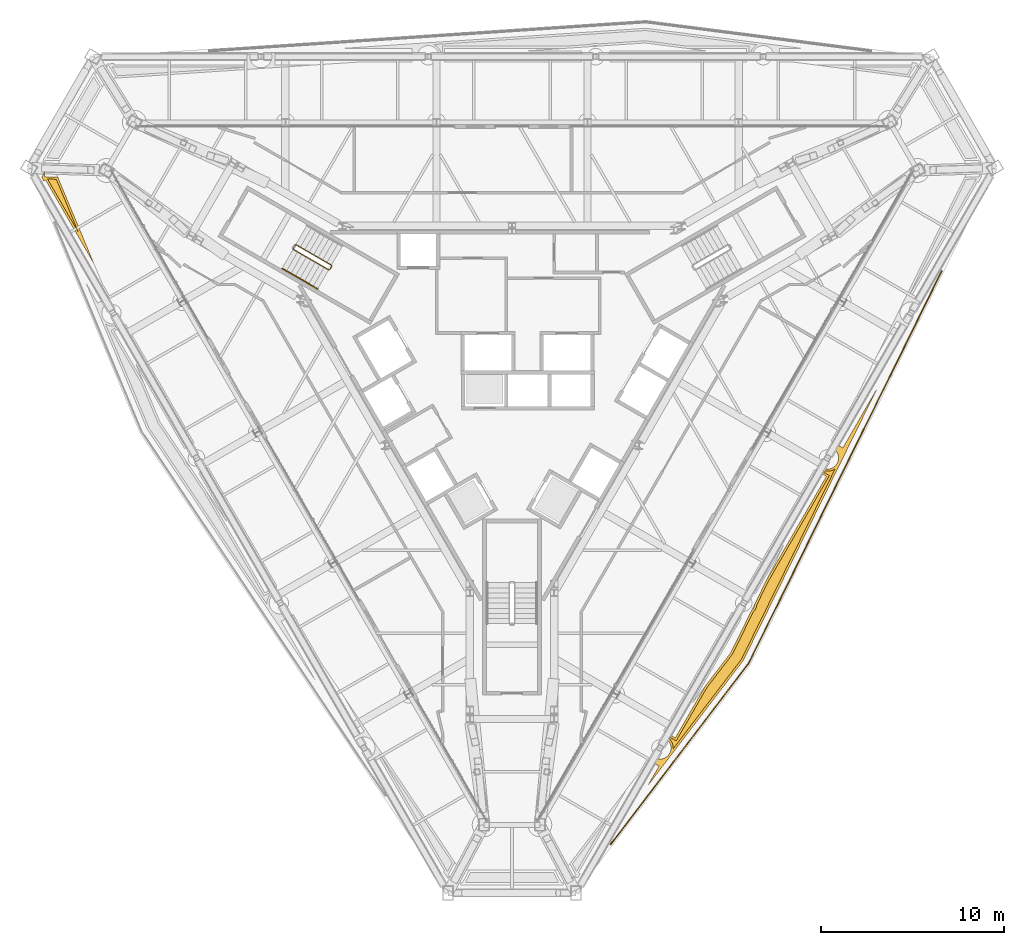
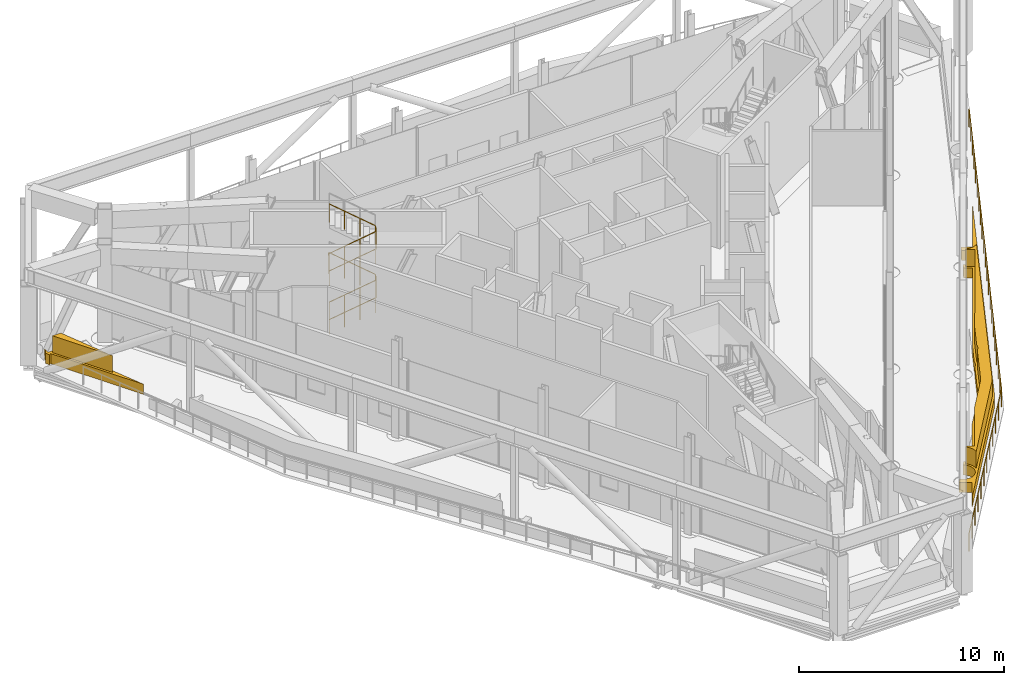
# One storey, part 21 of 25: 4 coverings, 4 railings.
"""IFC4 building model written with IfcOpenShell, lengths in metres."""

from ifc_helpers import new_model, si_unit, direction, frame, origin, origin_2d, place, context, subcontext, project, spatial, polyline, circle, outline, extrude, material, type_object, element, save


model = new_model("IFC4")

# Units and contexts
model_context = context("Model", 3, precision=1e-05, world=origin(), true_north=direction((0.0, 1.0)))
body_context = subcontext(model_context, "Body", "Model", "MODEL_VIEW")
ifc_project = project(units=[si_unit("LENGTHUNIT", "METRE"), si_unit("AREAUNIT", "SQUARE_METRE"), si_unit("VOLUMEUNIT", "CUBIC_METRE"), si_unit("PLANEANGLEUNIT", "RADIAN"), si_unit("MASSUNIT", "GRAM", prefix="KILO")], contexts=[model_context])

# Site, building, storey
site_placement = place(None, origin())
site = spatial("IfcSite", under=ifc_project, at=site_placement, CompositionType="ELEMENT")
building_placement = place(site_placement, origin())
building = spatial("IfcBuilding", under=site, at=building_placement, Name="Verrane Prism Tower", CompositionType="ELEMENT")
storey_placement = place(building_placement, frame((0.0, 0.0, 258.199951171875)))
storey = spatial("IfcBuildingStorey", under=building, at=storey_placement, Name="L65", CompositionType="ELEMENT", Elevation=258.199951171875)

# Coverings
ifc_material_1 = material(Name="Planting medium in stone kerb", Category="masonry")
covering_type_1 = type_object("IfcCoveringType", Name="Planter bed 600", PredefinedType="USERDEFINED", material=ifc_material_1)
covering_1_placement = place(storey_placement, origin())
element("IfcCovering", 1, at=covering_1_placement, inside=storey, type_object=covering_type_1, Name="Planter bed L65 4", ObjectType="PLANTER", PredefinedType="USERDEFINED", context=body_context, shape_type="SweptSolid", body=[
    extrude(outline(polyline([(7.459228515625, -21.145751953125), (8.018310546875, -21.46875), (7.419677734375, -22.50537109375), (7.42529296875, -22.50927734375), (12.615234375, -15.705810546875), (19.874755859375, -0.95556640625), (19.8671875, -0.951416015625), (18.048095703125, -4.107421875), (17.568115234375, -3.830810546875), (17.434814453125, -4.101318359375), (17.4404296875, -4.103515625), (17.493896484375, -4.128662109375), (17.544677734375, -4.1591796875), (17.59228515625, -4.1943359375), (17.635986328125, -4.23388671875), (17.67578125, -4.27783203125), (17.7109375, -4.3251953125), (17.7412109375, -4.3759765625), (17.7666015625, -4.429443359375), (17.78662109375, -4.485107421875), (17.80078125, -4.54248046875), (17.8095703125, -4.60107421875), (17.8125, -4.659912109375), (17.8095703125, -4.718994140625), (17.80078125, -4.777587890625), (17.78662109375, -4.8349609375), (17.7666015625, -4.890380859375), (17.7412109375, -4.944091796875), (17.7109375, -4.99462890625), (17.67578125, -5.042236328125), (17.635986328125, -5.0859375), (17.59228515625, -5.125732421875), (17.544677734375, -5.160888671875), (17.493896484375, -5.19140625), (17.4404296875, -5.216552734375), (17.385009765625, -5.236572265625), (17.327392578125, -5.250732421875), (17.26904296875, -5.259521484375), (17.2099609375, -5.262451171875), (17.15087890625, -5.259521484375), (17.092529296875, -5.250732421875), (17.03515625, -5.236572265625), (16.9794921875, -5.216552734375), (16.926025390625, -5.19140625), (16.90478515625, -5.178466796875), (16.773681640625, -5.4443359375), (17.150634765625, -5.662109375), (13.88330078125, -11.3173828125), (13.23974609375, -12.62548828125), (13.230712890625, -12.6875), (13.216552734375, -12.744873046875), (13.196533203125, -12.800537109375), (13.17138671875, -12.85400390625), (13.140869140625, -12.90478515625), (13.105712890625, -12.9521484375), (13.06591796875, -12.99609375), (13.05029296875, -13.010009765625), (11.931884765625, -15.282470703125), (10.532958984375, -17.116455078125), (8.908447265625, -19.927978515625), (8.54736328125, -19.71923828125), (8.366455078125, -19.956298828125), (8.40478515625, -19.97900390625), (8.4521484375, -20.014404296875), (8.49609375, -20.053955078125), (8.53564453125, -20.097900390625), (8.57080078125, -20.145263671875), (8.601318359375, -20.196044921875), (8.62646484375, -20.24951171875), (8.646484375, -20.30517578125), (8.660888671875, -20.362548828125), (8.66943359375, -20.4208984375), (8.67236328125, -20.47998046875), (8.66943359375, -20.5390625), (8.660888671875, -20.597412109375), (8.646484375, -20.65478515625), (8.62646484375, -20.71044921875), (8.601318359375, -20.763916015625), (8.57080078125, -20.814697265625), (8.53564453125, -20.8623046875), (8.49609375, -20.906005859375), (8.4521484375, -20.94580078125), (8.40478515625, -20.98095703125), (8.35400390625, -21.01123046875), (8.300537109375, -21.03662109375), (8.244873046875, -21.056396484375), (8.1875, -21.07080078125), (8.12890625, -21.07958984375), (8.070068359375, -21.08251953125), (8.010986328125, -21.07958984375), (7.952392578125, -21.07080078125), (7.89501953125, -21.056396484375), (7.839599609375, -21.03662109375), (7.785888671875, -21.01123046875), (7.7353515625, -20.98095703125), (7.687744140625, -20.94580078125), (7.642822265625, -20.90478515625), (7.459228515625, -21.145751953125)])), origin(), (0.0, 0.0, 1.0), 0.60009765625),
])
covering_2_placement = place(storey_placement, origin())
element("IfcCovering", 2, at=covering_2_placement, inside=storey, type_object=covering_type_1, Name="Planter bed L65 12", ObjectType="PLANTER", PredefinedType="USERDEFINED", context=body_context, shape_type="SweptSolid", body=[
    extrude(outline(polyline([(-25.554443359375, 10.44873046875), (-25.44580078125, 10.51171875), (-22.83349609375, 5.990234375), (-22.827392578125, 5.993408203125), (-24.77490234375, 10.65771484375), (-25.50634765625, 10.68212890625), (-25.4951171875, 11.0205078125), (-25.502197265625, 11.02099609375), (-25.50634765625, 10.994140625), (-25.526611328125, 10.913330078125), (-25.5546875, 10.834716796875), (-25.59033203125, 10.75927734375), (-25.63330078125, 10.687744140625), (-25.646728515625, 10.669677734375), (-25.554443359375, 10.44873046875)])), origin(), (0.0, 0.0, 1.0), 0.60009765625),
])
ifc_material_2 = material(Name="Planted shrubs and grasses", Category="other")
covering_type_2 = type_object("IfcCoveringType", Name="Planting mass 1000", PredefinedType="USERDEFINED", material=ifc_material_2)
covering_3_placement = place(storey_placement, frame((0.0, 0.0, 0.60009765625)))
element("IfcCovering", 3, at=covering_3_placement, inside=storey, type_object=covering_type_2, Name="Planting L65 4", ObjectType="PLANTING", PredefinedType="USERDEFINED", context=body_context, shape_type="SweptSolid", body=[
    extrude(outline(polyline([(12.5126953125, -15.642333984375), (17.628173828125, -5.248291015625), (17.611328125, -5.2607421875), (17.550537109375, -5.297119140625), (17.486572265625, -5.327392578125), (17.419677734375, -5.351318359375), (17.35107421875, -5.36865234375), (17.28076171875, -5.379150390625), (17.2099609375, -5.382568359375), (17.13916015625, -5.379150390625), (17.069091796875, -5.36865234375), (17.000244140625, -5.351318359375), (16.96044921875, -5.337158203125), (16.930908203125, -5.396728515625), (17.314697265625, -5.618408203125), (13.9892578125, -11.3740234375), (13.355712890625, -12.6611328125), (13.3486328125, -12.710693359375), (13.331298828125, -12.77978515625), (13.3076171875, -12.846435546875), (13.277099609375, -12.91064453125), (13.24072265625, -12.971435546875), (13.198486328125, -13.0283203125), (13.15087890625, -13.080810546875), (13.14794921875, -13.083740234375), (12.034423828125, -15.345947265625), (10.633056640625, -17.18310546875), (8.952392578125, -20.092041015625), (8.57861328125, -19.8759765625), (8.53759765625, -19.929931640625), (8.580810546875, -19.968994140625), (8.62841796875, -20.021484375), (8.6708984375, -20.07861328125), (8.707275390625, -20.139404296875), (8.737548828125, -20.20361328125), (8.761474609375, -20.270263671875), (8.77880859375, -20.339111328125), (8.7890625, -20.4091796875), (8.79248046875, -20.47998046875), (8.79052734375, -20.521728515625), (12.5126953125, -15.642333984375)])), origin(), (0.0, 0.0, 1.0), 1.0),
])
covering_4_placement = place(storey_placement, frame((0.0, 0.0, 0.60009765625)))
element("IfcCovering", 4, at=covering_4_placement, inside=storey, type_object=covering_type_2, Name="Planting L65 12", ObjectType="PLANTING", PredefinedType="USERDEFINED", context=body_context, shape_type="SweptSolid", body=[
    extrude(outline(polyline([(-23.636962890625, 7.620849609375), (-24.85595703125, 10.54052734375), (-25.3330078125, 10.556396484375), (-23.636962890625, 7.620849609375)])), origin(), (0.0, 0.0, 1.0), 1.0),
])

# Railings
ifc_material_3 = material(Name="Steel A36 rail and posts, no infill", Category="steel")
railing_type_1 = type_object("IfcRailingType", Name="Stair guard 1100 steel rail and posts", PredefinedType="GUARDRAIL", material=ifc_material_3)
railing_1_placement = place(storey_placement, frame((-11.939453125, 6.72021484375, 0.1611328125)))
element("IfcRailing", 5, at=railing_1_placement, inside=storey, type_object=railing_type_1, Name="Stair 2 guard", PredefinedType="GUARDRAIL", context=body_context, shape_type="SweptSolid", body=[
    extrude(circle(Radius=0.02392578125, at=origin_2d()), frame((0.0, 0.0, 1.076171875), z_axis=(0.750595867838, -0.433446676103, 0.498728204697), x_axis=(0.500077830873, 0.865980463445, 0.0)), (0.0, 0.0, 1.0), 2.584228515625),
    extrude(circle(Radius=0.02392578125, at=origin_2d()), frame((1.939697265625, -1.1201171875, 2.36474609375), z_axis=(0.965948051503, 0.258736085224, 0.0), x_axis=(-0.258736085224, 0.965948051503, 0.0)), (0.0, 0.0, 1.0), 0.07080078125),
    extrude(circle(Radius=0.02392578125, at=origin_2d()), frame((2.008056640625, -1.101806640625, 2.36474609375), z_axis=(0.500603037456, 0.865676959893, 0.0), x_axis=(-0.865676959893, 0.500603037456, 0.0)), (0.0, 0.0, 1.0), 0.199951171875),
    extrude(circle(Radius=0.02392578125, at=origin_2d()), frame((2.108154296875, -0.9287109375, 2.36474609375), z_axis=(-0.104043809355, 0.388430221592, 0.915585522324), x_axis=(-0.965948051503, -0.258736085224, 0.0)), (0.0, 0.0, 1.0), 0.176025390625),
    extrude(circle(Radius=0.02392578125, at=origin_2d()), frame((2.08984375, -0.8603515625, 2.52587890625), z_axis=(-0.750601747861, 0.433395522173, 0.498763809301), x_axis=(-0.500030632641, -0.866007717299, 0.0)), (0.0, 0.0, 1.0), 2.58447265625),
    extrude(circle(Radius=0.02392578125, at=origin_2d()), frame((0.14990234375, 0.259765625, 3.81494140625), z_axis=(-0.659656118156, -0.751567565678, 0.0), x_axis=(0.751567565678, -0.659656118156, 0.0)), (0.0, 0.0, 1.0), 0.2548828125),
    extrude(circle(Radius=0.02392578125, at=origin_2d()), frame((-0.018310546875, 0.068115234375, 3.81494140625), z_axis=(0.499158860599, 0.866510491504, 0.0), x_axis=(-0.866510491504, 0.499158860599, 0.0)), (0.0, 0.0, 1.0), 0.199951171875),
    extrude(circle(Radius=0.02392578125, at=origin_2d()), frame((0.08154296875, 0.241455078125, 3.81494140625), z_axis=(-0.270440734056, -0.800796065813, 0.53440384574), x_axis=(0.947430582667, -0.3199613899, 0.0)), (0.0, 0.0, 1.0), 0.301513671875),
    extrude(circle(Radius=0.02392578125, at=origin_2d()), frame((0.0, 0.0, 3.97607421875), z_axis=(0.750595867838, -0.433446676103, 0.498728204697), x_axis=(0.500077830873, 0.865980463445, 0.0)), (0.0, 0.0, 1.0), 2.584228515625),
    extrude(circle(Radius=0.02392578125, at=origin_2d()), frame((1.939697265625, -1.1201171875, 5.26513671875), z_axis=(0.965948051503, 0.258736085224, 0.0), x_axis=(-0.258736085224, 0.965948051503, 0.0)), (0.0, 0.0, 1.0), 0.07080078125),
    extrude(circle(Radius=0.02392578125, at=origin_2d()), frame((2.008056640625, -1.101806640625, 5.26513671875), z_axis=(0.500603037456, 0.865676959893, 0.0), x_axis=(-0.865676959893, 0.500603037456, 0.0)), (0.0, 0.0, 1.0), 0.199951171875),
    extrude(circle(Radius=0.02392578125, at=origin_2d()), frame((2.108154296875, -0.9287109375, 5.26513671875), z_axis=(-0.104043809355, 0.388430221592, 0.915585522324), x_axis=(-0.965948051503, -0.258736085224, 0.0)), (0.0, 0.0, 1.0), 0.176025390625),
    extrude(circle(Radius=0.02392578125, at=origin_2d()), frame((2.08984375, -0.8603515625, 5.42626953125), z_axis=(-0.750637111348, 0.433415940959, 0.498692840524), x_axis=(-0.500030632641, -0.866007717299, 0.0)), (0.0, 0.0, 1.0), 2.58447265625),
    extrude(circle(Radius=0.02099609375, at=origin_2d()), origin(), (0.0, 0.0, 1.0), 1.052001953125),
    extrude(circle(Radius=0.02099609375, at=origin_2d()), frame((0.646484375, -0.373291015625, 0.4296875)), (0.0, 0.0, 1.0), 1.052001953125),
    extrude(circle(Radius=0.02099609375, at=origin_2d()), frame((1.293212890625, -0.746826171875, 0.859130859375)), (0.0, 0.0, 1.0), 1.052001953125),
    extrude(circle(Radius=0.02099609375, at=origin_2d()), frame((1.939697265625, -1.1201171875, 1.288818359375)), (0.0, 0.0, 1.0), 1.052001953125),
    extrude(circle(Radius=0.02099609375, at=origin_2d()), frame((2.008056640625, -1.101806640625, 1.288818359375)), (0.0, 0.0, 1.0), 1.052001953125),
    extrude(circle(Radius=0.02099609375, at=origin_2d()), frame((2.108154296875, -0.9287109375, 1.288818359375)), (0.0, 0.0, 1.0), 1.052001953125),
    extrude(circle(Radius=0.02099609375, at=origin_2d()), frame((2.08984375, -0.8603515625, 1.449951171875)), (0.0, 0.0, 1.0), 1.052001953125),
    extrude(circle(Radius=0.02099609375, at=origin_2d()), frame((1.443115234375, -0.487060546875, 1.879638671875)), (0.0, 0.0, 1.0), 1.052001953125),
    extrude(circle(Radius=0.02099609375, at=origin_2d()), frame((0.796630859375, -0.113525390625, 2.309326171875)), (0.0, 0.0, 1.0), 1.052001953125),
    extrude(circle(Radius=0.02099609375, at=origin_2d()), frame((0.14990234375, 0.259765625, 2.739013671875)), (0.0, 0.0, 1.0), 1.052001953125),
    extrude(circle(Radius=0.02099609375, at=origin_2d()), frame((-0.018310546875, 0.068115234375, 2.739013671875)), (0.0, 0.0, 1.0), 1.052001953125),
    extrude(circle(Radius=0.02099609375, at=origin_2d()), frame((0.08154296875, 0.241455078125, 2.739013671875)), (0.0, 0.0, 1.0), 1.052001953125),
    extrude(circle(Radius=0.02099609375, at=origin_2d()), frame((0.0, 0.0, 2.900146484375)), (0.0, 0.0, 1.0), 1.052001953125),
    extrude(circle(Radius=0.02099609375, at=origin_2d()), frame((0.646484375, -0.373291015625, 3.329833984375)), (0.0, 0.0, 1.0), 1.052001953125),
    extrude(circle(Radius=0.02099609375, at=origin_2d()), frame((1.293212890625, -0.746826171875, 3.75927734375)), (0.0, 0.0, 1.0), 1.052001953125),
    extrude(circle(Radius=0.02099609375, at=origin_2d()), frame((1.939697265625, -1.1201171875, 4.18896484375)), (0.0, 0.0, 1.0), 1.052001953125),
    extrude(circle(Radius=0.02099609375, at=origin_2d()), frame((2.008056640625, -1.101806640625, 4.18896484375)), (0.0, 0.0, 1.0), 1.052001953125),
    extrude(circle(Radius=0.02099609375, at=origin_2d()), frame((2.108154296875, -0.9287109375, 4.18896484375)), (0.0, 0.0, 1.0), 1.052001953125),
    extrude(circle(Radius=0.02099609375, at=origin_2d()), frame((2.08984375, -0.8603515625, 4.35009765625)), (0.0, 0.0, 1.0), 1.052001953125),
    extrude(circle(Radius=0.02099609375, at=origin_2d()), frame((1.443115234375, -0.487060546875, 4.77978515625)), (0.0, 0.0, 1.0), 1.052001953125),
    extrude(circle(Radius=0.02099609375, at=origin_2d()), frame((0.796630859375, -0.113525390625, 5.209228515625)), (0.0, 0.0, 1.0), 1.052001953125),
    extrude(circle(Radius=0.02099609375, at=origin_2d()), frame((0.14990234375, 0.259765625, 5.638916015625)), (0.0, 0.0, 1.0), 1.052001953125),
])
ifc_material_4 = material(Name="Steel A36 tube", Category="steel")
railing_type_2 = type_object("IfcRailingType", Name="Stair handrail 900 steel tube", PredefinedType="HANDRAIL", material=ifc_material_4)
for number, where, name in (
    (6, (-12.53955078125, 5.680908203125, 0.1611328125), "Stair 2 handrail"),
    (7, (-12.53955078125, 5.680908203125, 3.061279296875), "Stair 2 handrail"),
):
    element("IfcRailing", number, at=place(storey_placement, frame(where)), inside=storey, type_object=railing_type_2, Name=name, PredefinedType="HANDRAIL", context=body_context, shape_type="SweptSolid", body=[
        extrude(circle(Radius=0.02392578125, at=origin_2d()), frame((0.0, 0.0, 0.8759765625), z_axis=(0.750637111348, -0.433415940959, 0.498692840524), x_axis=(0.500030632641, 0.866007717299, 0.0)), (0.0, 0.0, 1.0), 2.58447265625),
        extrude(circle(Radius=0.02099609375, at=origin_2d()), origin(), (0.0, 0.0, 1.0), 0.851806640625),
        extrude(circle(Radius=0.02099609375, at=origin_2d()), frame((0.646728515625, -0.373291015625, 0.4296875)), (0.0, 0.0, 1.0), 0.851806640625),
        extrude(circle(Radius=0.02099609375, at=origin_2d()), frame((1.293212890625, -0.746826171875, 0.859130859375)), (0.0, 0.0, 1.0), 0.851806640625),
        extrude(circle(Radius=0.02099609375, at=origin_2d()), frame((1.93994140625, -1.1201171875, 1.288818359375)), (0.0, 0.0, 1.0), 0.851806640625),
    ])
ifc_material_5 = material(Name="Stainless steel and laminated glass", Category="steel")
railing_type_3 = type_object("IfcRailingType", Name="Terrace guard 1100", PredefinedType="GUARDRAIL", material=ifc_material_5)
railing_2_placement = place(storey_placement, frame((5.383544921875, -25.729736328125, 0.0)))
element("IfcRailing", 8, at=railing_2_placement, inside=storey, type_object=railing_type_3, Name="Terrace guard L65 3", PredefinedType="GUARDRAIL", context=body_context, shape_type="SweptSolid", body=[
    extrude(circle(Radius=0.02392578125, at=origin_2d()), frame((0.0, 0.0, 1.076171875), z_axis=(0.606522874804, 0.795066036464, 0.0), x_axis=(-0.795066036464, 0.606522874804, 0.0)), (0.0, 0.0, 1.0), 12.38818359375),
    extrude(circle(Radius=0.02392578125, at=origin_2d()), frame((7.513671875, 9.849365234375, 1.076171875), z_axis=(0.441575481797, 0.8972241046, 0.0), x_axis=(-0.8972241046, 0.441575481797, 0.0)), (0.0, 0.0, 1.0), 23.870849609375),
    extrude(circle(Radius=0.02099609375, at=origin_2d()), origin(), (0.0, 0.0, 1.0), 1.052001953125),
    extrude(circle(Radius=0.02099609375, at=origin_2d()), frame((0.68310546875, 0.8955078125, 0.0)), (0.0, 0.0, 1.0), 1.052001953125),
    extrude(circle(Radius=0.02099609375, at=origin_2d()), frame((1.3662109375, 1.790771484375, 0.0)), (0.0, 0.0, 1.0), 1.052001953125),
    extrude(circle(Radius=0.02099609375, at=origin_2d()), frame((2.049072265625, 2.686279296875, 0.0)), (0.0, 0.0, 1.0), 1.052001953125),
    extrude(circle(Radius=0.02099609375, at=origin_2d()), frame((2.732177734375, 3.58154296875, 0.0)), (0.0, 0.0, 1.0), 1.052001953125),
    extrude(circle(Radius=0.02099609375, at=origin_2d()), frame((3.415283203125, 4.47705078125, 0.0)), (0.0, 0.0, 1.0), 1.052001953125),
    extrude(circle(Radius=0.02099609375, at=origin_2d()), frame((4.098388671875, 5.372314453125, 0.0)), (0.0, 0.0, 1.0), 1.052001953125),
    extrude(circle(Radius=0.02099609375, at=origin_2d()), frame((4.781494140625, 6.267822265625, 0.0)), (0.0, 0.0, 1.0), 1.052001953125),
    extrude(circle(Radius=0.02099609375, at=origin_2d()), frame((5.464599609375, 7.1630859375, 0.0)), (0.0, 0.0, 1.0), 1.052001953125),
    extrude(circle(Radius=0.02099609375, at=origin_2d()), frame((6.1474609375, 8.05859375, 0.0)), (0.0, 0.0, 1.0), 1.052001953125),
    extrude(circle(Radius=0.02099609375, at=origin_2d()), frame((6.83056640625, 8.953857421875, 0.0)), (0.0, 0.0, 1.0), 1.052001953125),
    extrude(circle(Radius=0.02099609375, at=origin_2d()), frame((7.513671875, 9.849365234375, 0.0)), (0.0, 0.0, 1.0), 1.052001953125),
    extrude(circle(Radius=0.02099609375, at=origin_2d()), frame((8.040771484375, 10.920166015625, 0.0)), (0.0, 0.0, 1.0), 1.052001953125),
    extrude(circle(Radius=0.02099609375, at=origin_2d()), frame((8.56787109375, 11.9912109375, 0.0)), (0.0, 0.0, 1.0), 1.052001953125),
    extrude(circle(Radius=0.02099609375, at=origin_2d()), frame((9.0947265625, 13.06201171875, 0.0)), (0.0, 0.0, 1.0), 1.052001953125),
    extrude(circle(Radius=0.02099609375, at=origin_2d()), frame((9.621826171875, 14.1328125, 0.0)), (0.0, 0.0, 1.0), 1.052001953125),
    extrude(circle(Radius=0.02099609375, at=origin_2d()), frame((10.14892578125, 15.20361328125, 0.0)), (0.0, 0.0, 1.0), 1.052001953125),
    extrude(circle(Radius=0.02099609375, at=origin_2d()), frame((10.67578125, 16.274658203125, 0.0)), (0.0, 0.0, 1.0), 1.052001953125),
    extrude(circle(Radius=0.02099609375, at=origin_2d()), frame((11.202880859375, 17.345458984375, 0.0)), (0.0, 0.0, 1.0), 1.052001953125),
    extrude(circle(Radius=0.02099609375, at=origin_2d()), frame((11.72998046875, 18.416259765625, 0.0)), (0.0, 0.0, 1.0), 1.052001953125),
    extrude(circle(Radius=0.02099609375, at=origin_2d()), frame((12.257080078125, 19.4873046875, 0.0)), (0.0, 0.0, 1.0), 1.052001953125),
    extrude(circle(Radius=0.02099609375, at=origin_2d()), frame((12.7841796875, 20.55810546875, 0.0)), (0.0, 0.0, 1.0), 1.052001953125),
    extrude(circle(Radius=0.02099609375, at=origin_2d()), frame((13.31103515625, 21.62890625, 0.0)), (0.0, 0.0, 1.0), 1.052001953125),
    extrude(circle(Radius=0.02099609375, at=origin_2d()), frame((13.838134765625, 22.699951171875, 0.0)), (0.0, 0.0, 1.0), 1.052001953125),
    extrude(circle(Radius=0.02099609375, at=origin_2d()), frame((14.365234375, 23.770751953125, 0.0)), (0.0, 0.0, 1.0), 1.052001953125),
    extrude(circle(Radius=0.02099609375, at=origin_2d()), frame((14.89208984375, 24.841552734375, 0.0)), (0.0, 0.0, 1.0), 1.052001953125),
    extrude(circle(Radius=0.02099609375, at=origin_2d()), frame((15.419189453125, 25.91259765625, 0.0)), (0.0, 0.0, 1.0), 1.052001953125),
    extrude(circle(Radius=0.02099609375, at=origin_2d()), frame((15.9462890625, 26.9833984375, 0.0)), (0.0, 0.0, 1.0), 1.052001953125),
    extrude(circle(Radius=0.02099609375, at=origin_2d()), frame((16.473388671875, 28.05419921875, 0.0)), (0.0, 0.0, 1.0), 1.052001953125),
    extrude(circle(Radius=0.02099609375, at=origin_2d()), frame((17.00048828125, 29.125, 0.0)), (0.0, 0.0, 1.0), 1.052001953125),
    extrude(circle(Radius=0.02099609375, at=origin_2d()), frame((17.52734375, 30.196044921875, 0.0)), (0.0, 0.0, 1.0), 1.052001953125),
    extrude(circle(Radius=0.02099609375, at=origin_2d()), frame((18.054443359375, 31.266845703125, 0.0)), (0.0, 0.0, 1.0), 1.052001953125),
])

save(model, "model.ifc")
